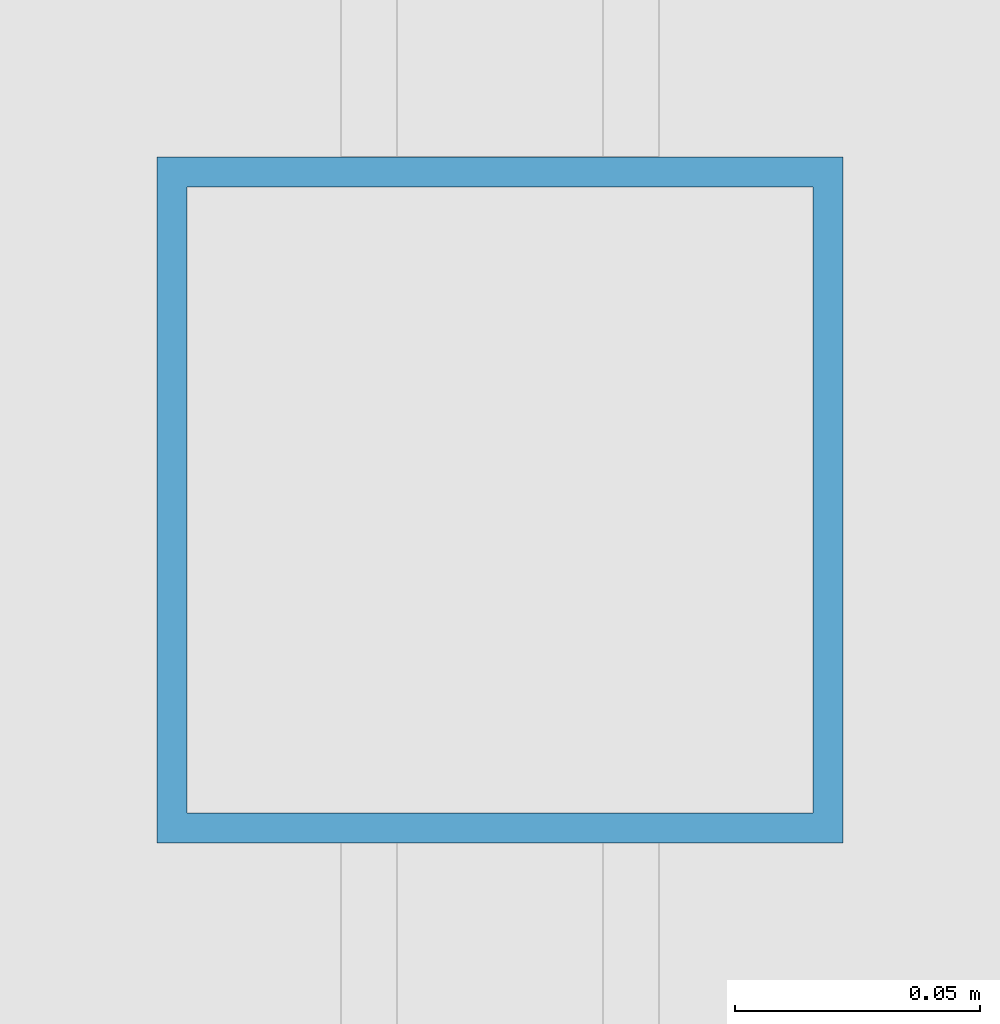
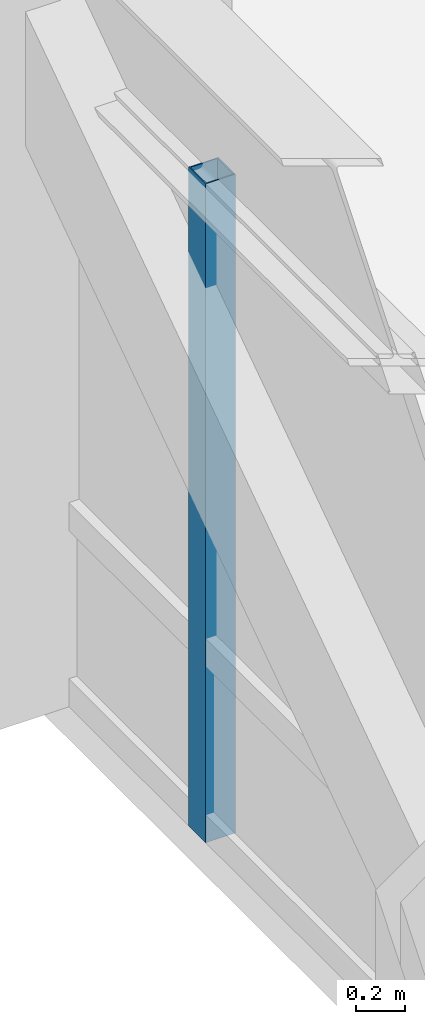
# One storey, part 12 of 31: 1 member, 1 element without a shape of its own.
"""IFC4 building model written with IfcOpenShell, lengths in metres."""

from ifc_helpers import new_model, si_unit, direction, frame, origin, origin_2d, place, context, subcontext, project, spatial, hollow_rectangle, extrude, source, transform, mapped, material, material_profile, profile_set, type_object, element, aggregate, save


model = new_model("IFC4")

# Units and contexts
model_context = context("Model", 3, precision=1e-05, world=origin(), true_north=direction((0.0, 1.0)))
body_context = subcontext(model_context, "Body", "Model", "MODEL_VIEW")
ifc_project = project(units=[si_unit("LENGTHUNIT", "METRE"), si_unit("AREAUNIT", "SQUARE_METRE"), si_unit("VOLUMEUNIT", "CUBIC_METRE"), si_unit("PLANEANGLEUNIT", "RADIAN"), si_unit("MASSUNIT", "GRAM", prefix="KILO")], contexts=[model_context])

# Site, building, storey
site_placement = place(None, origin())
site = spatial("IfcSite", under=ifc_project, at=site_placement, CompositionType="ELEMENT")
building_placement = place(site_placement, origin())
building = spatial("IfcBuilding", under=site, at=building_placement, Name="Khorayat Bourse Tower", CompositionType="ELEMENT")
storey_placement = place(building_placement, frame((0.0, 0.0, 41.0)))
storey = spatial("IfcBuildingStorey", under=building, at=storey_placement, Name="L08", CompositionType="ELEMENT", Elevation=41.0)

# Curtain wall, member
ifc_material = material(Name="Aluminium EN AW-6063 T6", Category="aluminium")
curtain_wall_type = type_object("IfcCurtainWallType", Name="CW-SYS-02", PredefinedType="NOTDEFINED", material=ifc_material)
curtain_wall_placement = place(storey_placement, origin())
curtain_wall = element("IfcCurtainWall", 1, at=curtain_wall_placement, inside=storey, type_object=curtain_wall_type, Name="L08 Curtain Wall CW-L08-W1", PredefinedType="NOTDEFINED")
ifc_material_profile = material_profile(ifc_material, hollow_rectangle(XDim=0.139892578125, YDim=0.139892578125, WallThickness=0.006103515625, at=origin_2d()), Name="ALU 140x140x6")
ifc_profile_set = profile_set([ifc_material_profile], Name="Aluminium EN AW-6063 T6")
member_type = type_object("IfcMemberType", Name="CWM-VERT-140", PredefinedType="MULLION", material=ifc_profile_set)
shared_shape = source(origin(), body_context, "Body", "SweptSolid", [
    extrude(hollow_rectangle(XDim=0.139892578125, YDim=0.139892578125, WallThickness=0.006103515625, at=origin_2d()), origin(), (0.0, 0.0, 1.0), 3.2900390625),
])
member_placement = place(storey_placement, frame((-32.0, 9.25, 0.0), z_axis=(0.0, 0.0, 1.0), x_axis=(-1.0, 0.0, 0.0)))
member = element("IfcMember", 2, at=member_placement, type_object=member_type, Name="CW-L08-W1 Vertical Mullion 3", PredefinedType="MULLION", context=body_context, shape_type="MappedRepresentation", body=[
    mapped(shared_shape, transform((0.0, 0.0, 0.0), scale=1.0)),
])
aggregate(curtain_wall, [member])

save(model, "model.ifc")
